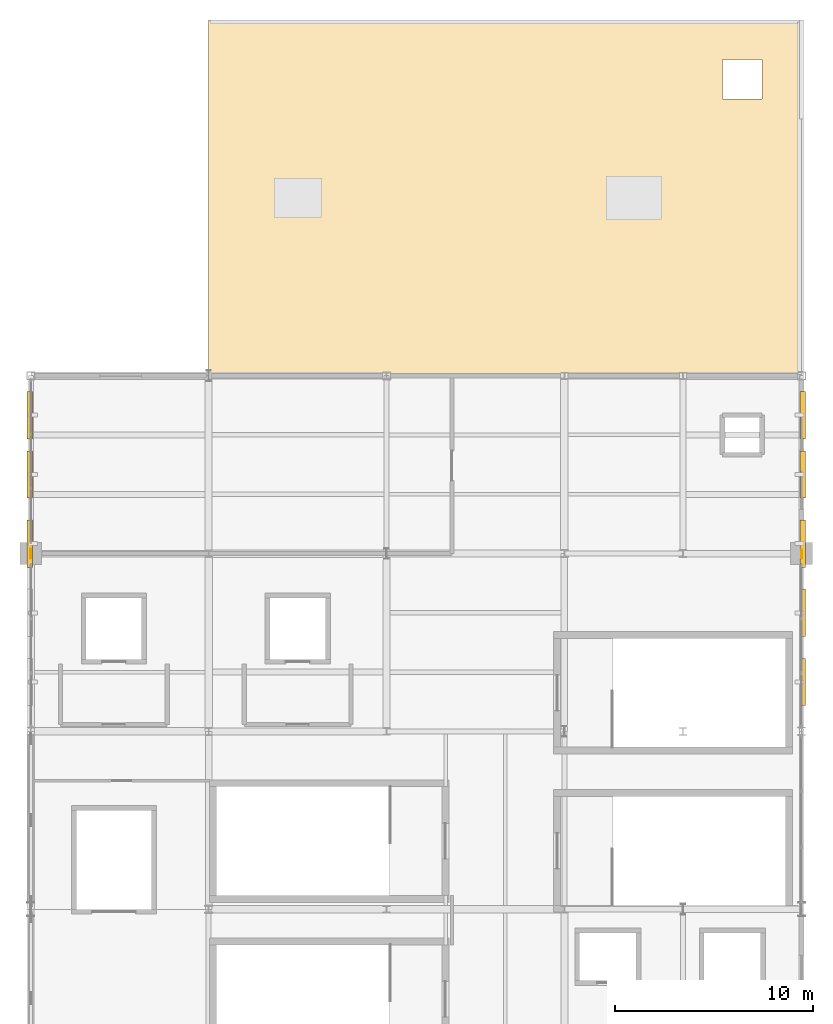
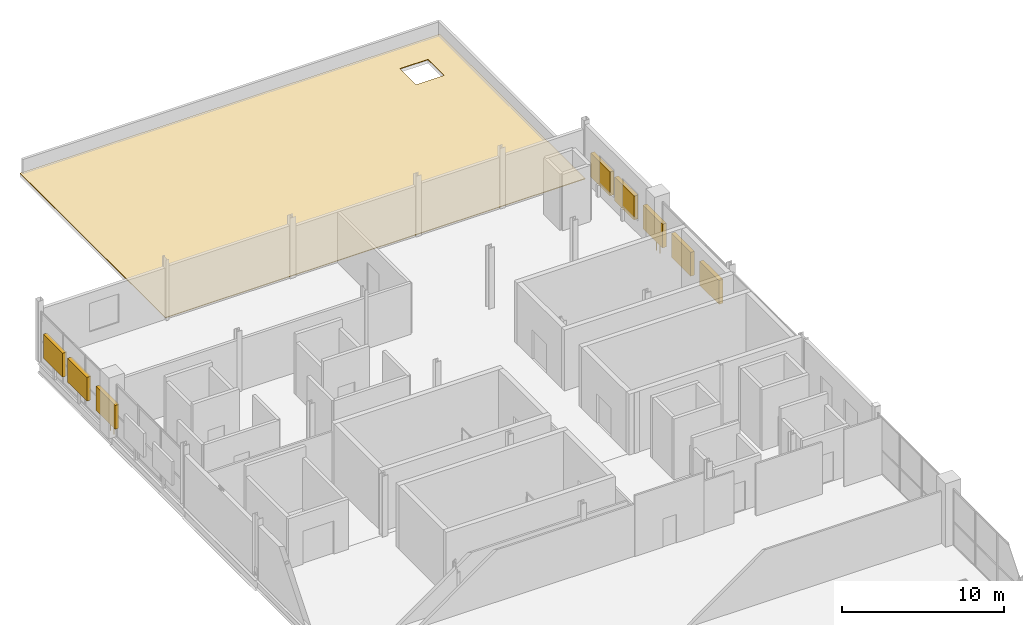
# One storey, part 29 of 29: 8 shading devices, 2 railings, 1 covering.
"""IFC4 building model written with IfcOpenShell, lengths in metres."""

from ifc_helpers import new_model, si_unit, direction, frame, origin, origin_2d, place, context, subcontext, project, spatial, polyline, rectangle, circle, outline, extrude, material, layer, layer_set, type_object, element, save


model = new_model("IFC4")

# Units and contexts
model_context = context("Model", 3, precision=1e-05, world=origin(), true_north=direction((0.0, 1.0)))
body_context = subcontext(model_context, "Body", "Model", "MODEL_VIEW")
ifc_project = project(units=[si_unit("LENGTHUNIT", "METRE"), si_unit("AREAUNIT", "SQUARE_METRE"), si_unit("VOLUMEUNIT", "CUBIC_METRE"), si_unit("PLANEANGLEUNIT", "RADIAN"), si_unit("MASSUNIT", "GRAM", prefix="KILO")], contexts=[model_context])

# Site, building, storey
site_placement = place(None, origin())
site = spatial("IfcSite", under=ifc_project, at=site_placement, CompositionType="ELEMENT")
building_placement = place(site_placement, origin())
building = spatial("IfcBuilding", under=site, at=building_placement, Name="Qamarlyn Nura Convention Centre", CompositionType="ELEMENT")
storey_placement = place(building_placement, frame((0.0, 0.0, 25.199951171875)))
storey = spatial("IfcBuildingStorey", under=building, at=storey_placement, Name="L05", CompositionType="ELEMENT", Elevation=25.199951171875)

# Covering
ifc_material_1 = material(Name="High-albedo TPO cool-roof membrane")
ifc_layer = layer(ifc_material_1, 0.050048828125, Name="COV-ROOF-TPO")
ifc_layer_set = layer_set([ifc_layer], Name="High-albedo TPO cool-roof membrane")
covering_type = type_object("IfcCoveringType", Name="COV-ROOF-TPO", PredefinedType="ROOFING", material=ifc_layer_set)
covering_placement = place(storey_placement, origin())
element("IfcCovering", 1, at=covering_placement, inside=storey, type_object=covering_type, Name="L05 high-albedo TPO roof membrane ROOFSLAB-R-L05-DL1", PredefinedType="ROOFING", context=body_context, shape_type="SweptSolid", body=[
    extrude(outline(polyline([(162.0, 90.0), (162.0, 108.0), (192.0, 108.0), (192.0, 90.0), (162.0, 90.0)]), holes=[polyline([(190.0, 106.0), (188.0, 106.0), (188.0, 104.0), (190.0, 104.0), (190.0, 106.0)])]), origin(), (0.0, 0.0, 1.0), 0.050048828125),
])

# Railings
ifc_material_2 = material(Name="Marine Grade 316 stainless steel", Category="steel")
railing_type = type_object("IfcRailingType", Name="GRD-VOID-112", PredefinedType="BALUSTRADE", material=ifc_material_2)
railing_1_placement = place(storey_placement, frame((153.0, 80.77001953125, 0.0)))
element("IfcRailing", 2, at=railing_1_placement, inside=storey, type_object=railing_type, Name="L05 slab edge balustrade guard 091", PredefinedType="BALUSTRADE", context=body_context, shape_type="SweptSolid", body=[
    extrude(circle(Radius=0.02392578125, at=origin_2d()), frame((0.0, 0.0, 1.09619140625), z_axis=(0.0, 1.0, 0.0), x_axis=(-1.0, 0.0, 0.0)), (0.0, 0.0, 1.0), 0.4599609375),
    extrude(circle(Radius=0.02099609375, at=origin_2d()), origin(), (0.0, 0.0, 1.0), 1.070068359375),
    extrude(circle(Radius=0.02099609375, at=origin_2d()), frame((0.0, 0.4599609375, 0.0)), (0.0, 0.0, 1.0), 1.070068359375),
])
railing_2_placement = place(storey_placement, frame((192.0, 81.169921875, 0.0)))
element("IfcRailing", 3, at=railing_2_placement, inside=storey, type_object=railing_type, Name="L05 slab edge balustrade guard 092", PredefinedType="BALUSTRADE", context=body_context, shape_type="SweptSolid", body=[
    extrude(circle(Radius=0.02392578125, at=origin_2d()), frame((0.0, 0.0, 1.09619140625), z_axis=(0.0, -1.0, 0.0), x_axis=(1.0, 0.0, 0.0)), (0.0, 0.0, 1.0), 0.39990234375),
    extrude(circle(Radius=0.02099609375, at=origin_2d()), origin(), (0.0, 0.0, 1.0), 1.070068359375),
    extrude(circle(Radius=0.02099609375, at=origin_2d()), frame((0.0, -0.39990234375, 0.0)), (0.0, 0.0, 1.0), 1.070068359375),
])

# Shading devices
ifc_material_3 = material(Name="Champagne-anodised marine aluminium", Category="aluminium")
shading_device_type = type_object("IfcShadingDeviceType", Name="SHD-LOUV-JAL", PredefinedType="JALOUSIE", material=ifc_material_3)
for number, where, z_axis, x_axis, name in (
    (4, (192.050048828125, 74.5, 0.7001953125), (0.0, 0.0, 1.0), (1.0, 0.0, 0.0), "L05 plant room acoustic louvre E1"),
    (5, (192.050048828125, 78.0, 0.7001953125), (0.0, 0.0, 1.0), (1.0, 0.0, 0.0), "L05 plant room acoustic louvre E2"),
    (6, (192.050048828125, 81.5, 0.7001953125), (0.0, 0.0, 1.0), (1.0, 0.0, 0.0), "L05 plant room acoustic louvre E3"),
    (7, (152.949951171875, 81.5, 0.7001953125), (0.0, 0.0, 1.0), (1.0, 0.0, 0.0), "L05 plant room acoustic louvre W3"),
    (8, (192.050048828125, 85.0, 0.7001953125), (0.0, 0.0, 1.0), (1.0, 0.0, 0.0), "L05 plant room acoustic louvre E4"),
    (9, (152.949951171875, 85.0, 0.7001953125), (0.0, 0.0, 1.0), (1.0, 0.0, 0.0), "L05 plant room acoustic louvre W4"),
    (10, (192.050048828125, 88.0, 0.7001953125), (0.0, 0.0, 1.0), (1.0, 0.0, 0.0), "L05 plant room acoustic louvre E5"),
    (11, (152.949951171875, 88.0, 0.7001953125), (0.0, 0.0, 1.0), (1.0, 0.0, 0.0), "L05 plant room acoustic louvre W5"),
):
    element("IfcShadingDevice", number, at=place(storey_placement, frame(where, z_axis=z_axis, x_axis=x_axis)), inside=storey, type_object=shading_device_type, Name=name, PredefinedType="JALOUSIE", context=body_context, shape_type="SweptSolid", body=[
        extrude(rectangle(XDim=0.280029296875, YDim=2.39990234375, at=origin_2d()), origin(), (0.0, 0.0, 1.0), 1.800048828125),
    ])

save(model, "model.ifc")
